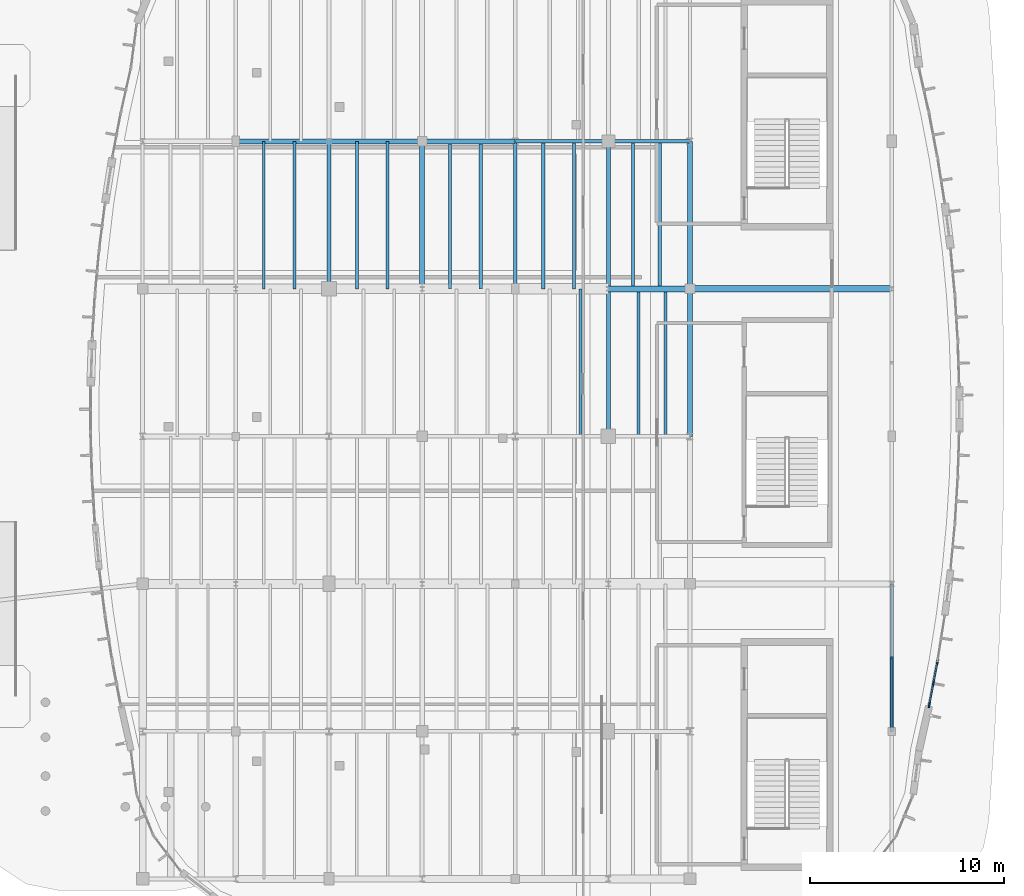
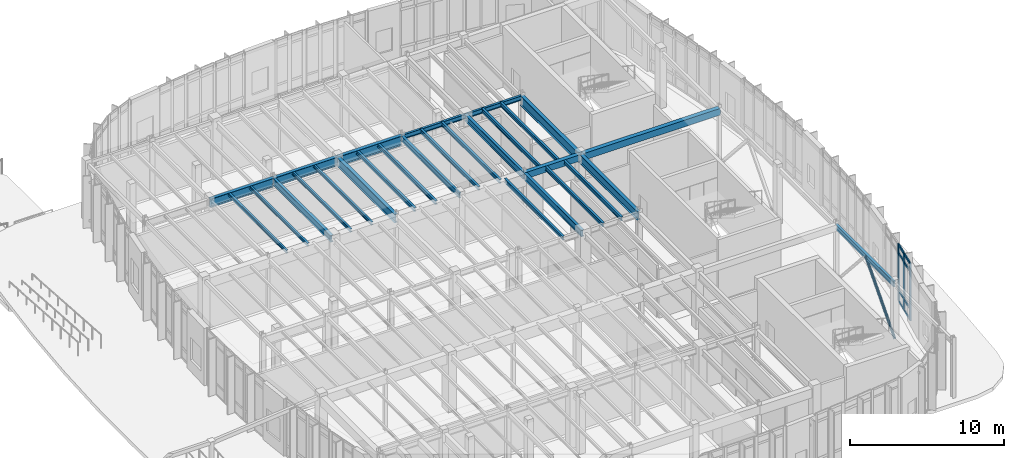
# One storey, part 59 of 120: 28 beams, 12 members, 1 element without a shape of its own.
"""IFC4 building model written with IfcOpenShell, lengths in metres."""

from ifc_helpers import new_model, si_unit, direction, frame, origin, origin_2d, place, context, subcontext, project, spatial, rectangle, hollow_circle, i_section, extrude, material, material_profile, profile_set, type_object, element, aggregate, save


model = new_model("IFC4")

# Units and contexts
model_context = context("Model", 3, precision=1e-05, world=origin(), true_north=direction((0.0, 1.0)))
body_context = subcontext(model_context, "Body", "Model", "MODEL_VIEW")
ifc_project = project(units=[si_unit("LENGTHUNIT", "METRE"), si_unit("AREAUNIT", "SQUARE_METRE"), si_unit("VOLUMEUNIT", "CUBIC_METRE"), si_unit("PLANEANGLEUNIT", "RADIAN"), si_unit("MASSUNIT", "GRAM", prefix="KILO")], contexts=[model_context])

# Site, building, storey
site_placement = place(None, origin())
site = spatial("IfcSite", under=ifc_project, at=site_placement, CompositionType="ELEMENT")
building_placement = place(site_placement, origin())
building = spatial("IfcBuilding", under=site, at=building_placement, Name="Corveleigh Park Community Centre", CompositionType="ELEMENT")
storey_placement = place(building_placement, origin())
storey = spatial("IfcBuildingStorey", under=building, at=storey_placement, Name="L00", CompositionType="ELEMENT", Elevation=0.0)

# Beams
ifc_material_1 = material(Name="Concrete C40/50", Category="concrete")
ifc_material_profile_1 = material_profile(ifc_material_1, rectangle(XDim=0.300048828125, YDim=0.5, at=origin_2d()), Name="RC-300x500", Category="concrete")
ifc_profile_set_1 = profile_set([ifc_material_profile_1], Name="Concrete C40/50")
beam_type_1 = type_object("IfcBeamType", Name="BM-RC-300x500", PredefinedType="BEAM", material=ifc_profile_set_1)
beam_1_placement = place(storey_placement, frame((153.804931640625, 89.0, 4.277099609375), z_axis=(1.0, 0.0, 0.0), x_axis=(0.0, 1.0, 0.0)))
element("IfcBeam", 1, at=beam_1_placement, inside=storey, type_object=beam_type_1, Name="V4 Girder X", PredefinedType="BEAM", context=body_context, shape_type="SweptSolid", body=[
    extrude(rectangle(XDim=0.300048828125, YDim=0.5, at=origin_2d()), origin(), (0.0, 0.0, 1.0), 4.190185546875),
])
ifc_material_profile_2 = material_profile(ifc_material_1, rectangle(XDim=0.324951171875, YDim=0.52490234375, at=origin_2d()), Name="RC-325x525", Category="concrete")
ifc_profile_set_2 = profile_set([ifc_material_profile_2], Name="Concrete C40/50")
beam_type_2 = type_object("IfcBeamType", Name="BM-RC-325x525", PredefinedType="BEAM", material=ifc_profile_set_2)
beam_2_placement = place(storey_placement, frame((158.0048828125, 89.0, 4.264404296875), z_axis=(1.0, 0.0, 0.0), x_axis=(0.0, 1.0, 0.0)))
element("IfcBeam", 2, at=beam_2_placement, inside=storey, type_object=beam_type_2, Name="V4 Girder X", PredefinedType="BEAM", context=body_context, shape_type="SweptSolid", body=[
    extrude(rectangle(XDim=0.324951171875, YDim=0.52490234375, at=origin_2d()), origin(), (0.0, 0.0, 1.0), 10.39013671875),
])
ifc_material_2 = material(Name="Steel S355", Category="steel")
ifc_material_profile_3 = material_profile(ifc_material_2, i_section(OverallWidth=0.146484375, OverallDepth=0.256103515625, WebThickness=0.00634765625, FlangeThickness=0.010986328125, at=origin_2d()), Name="UKB 254x146x37", Category="steel")
ifc_profile_set_3 = profile_set([ifc_material_profile_3], Name="Steel S355")
beam_type_3 = type_object("IfcBeamType", Name="BM-STL-UKB254x37", PredefinedType="JOIST", material=ifc_profile_set_3)
for number, where, z_axis, x_axis, name in (
    (3, (136.0400390625, 89.0048828125, 4.39892578125), (0.0, 1.0, 0.0), (-1.0, 0.0, 0.0), "Secondary floor joist"),
    (4, (137.6240234375, 89.0048828125, 4.39892578125), (0.0, 1.0, 0.0), (-1.0, 0.0, 0.0), "Secondary floor joist"),
):
    element("IfcBeam", number, at=place(storey_placement, frame(where, z_axis=z_axis, x_axis=x_axis)), inside=storey, type_object=beam_type_3, Name=name, PredefinedType="JOIST", context=body_context, shape_type="SweptSolid", body=[
        extrude(i_section(OverallWidth=0.146484375, OverallDepth=0.256103515625, WebThickness=0.00634765625, FlangeThickness=0.010986328125, at=origin_2d()), origin(), (0.0, 0.0, 1.0), 7.590087890625),
    ])
ifc_material_profile_4 = material_profile(ifc_material_2, i_section(OverallWidth=0.147216796875, OverallDepth=0.259521484375, WebThickness=0.007080078125, FlangeThickness=0.0126953125, at=origin_2d()), Name="UKB 254x146x43", Category="steel")
ifc_profile_set_4 = profile_set([ifc_material_profile_4], Name="Steel S355")
beam_type_4 = type_object("IfcBeamType", Name="BM-STL-UKB254x43", PredefinedType="JOIST", material=ifc_profile_set_4)
for number, where, z_axis, x_axis, name in (
    (5, (140.840087890625, 89.0048828125, 4.397216796875), (0.0, 1.0, 0.0), (-1.0, 0.0, 0.0), "Secondary floor joist"),
    (6, (142.424072265625, 89.0048828125, 4.397216796875), (0.0, 1.0, 0.0), (-1.0, 0.0, 0.0), "Secondary floor joist"),
):
    element("IfcBeam", number, at=place(storey_placement, frame(where, z_axis=z_axis, x_axis=x_axis)), inside=storey, type_object=beam_type_4, Name=name, PredefinedType="JOIST", context=body_context, shape_type="SweptSolid", body=[
        extrude(i_section(OverallWidth=0.147216796875, OverallDepth=0.259521484375, WebThickness=0.007080078125, FlangeThickness=0.0126953125, at=origin_2d()), origin(), (0.0, 0.0, 1.0), 7.590087890625),
    ])
ifc_material_profile_5 = material_profile(ifc_material_2, i_section(OverallWidth=0.1650390625, OverallDepth=0.303466796875, WebThickness=0.006103515625, FlangeThickness=0.01025390625, at=origin_2d()), Name="UKB 305x165x40", Category="steel")
ifc_profile_set_5 = profile_set([ifc_material_profile_5], Name="Steel S355")
beam_type_5 = type_object("IfcBeamType", Name="BM-STL-UKB305x40", PredefinedType="JOIST", material=ifc_profile_set_5)
for number, where, z_axis, x_axis, name in (
    (7, (145.639892578125, 89.0048828125, 4.375244140625), (0.0, 1.0, 0.0), (-1.0, 0.0, 0.0), "Secondary floor joist"),
    (8, (147.22412109375, 89.0048828125, 4.375244140625), (0.0, 1.0, 0.0), (-1.0, 0.0, 0.0), "Secondary floor joist"),
    (9, (152.360107421875, 81.405029296875, 4.375244140625), (0.0, 1.0, 0.0), (-1.0, 0.0, 0.0), "Secondary floor joist"),
):
    element("IfcBeam", number, at=place(storey_placement, frame(where, z_axis=z_axis, x_axis=x_axis)), inside=storey, type_object=beam_type_5, Name=name, PredefinedType="JOIST", context=body_context, shape_type="SweptSolid", body=[
        extrude(i_section(OverallWidth=0.1650390625, OverallDepth=0.303466796875, WebThickness=0.006103515625, FlangeThickness=0.01025390625, at=origin_2d()), origin(), (0.0, 0.0, 1.0), 7.590087890625),
    ])
ifc_material_profile_6 = material_profile(ifc_material_2, i_section(OverallWidth=0.165771484375, OverallDepth=0.306640625, WebThickness=0.006591796875, FlangeThickness=0.01171875, at=origin_2d()), Name="UKB 305x165x46", Category="steel")
ifc_profile_set_6 = profile_set([ifc_material_profile_6], Name="Steel S355")
beam_type_6 = type_object("IfcBeamType", Name="BM-STL-UKB305x46", PredefinedType="JOIST", material=ifc_profile_set_6)
for number, where, z_axis, x_axis, name in (
    (10, (150.43994140625, 89.0048828125, 4.373779296875), (0.0, 1.0, 0.0), (-1.0, 0.0, 0.0), "Secondary floor joist"),
    (11, (152.02392578125, 89.0048828125, 4.373779296875), (0.0, 1.0, 0.0), (-1.0, 0.0, 0.0), "Secondary floor joist"),
    (12, (155.35400390625, 81.405029296875, 4.373779296875), (0.0, 1.0, 0.0), (-1.0, 0.0, 0.0), "Secondary floor joist"),
    (13, (156.739990234375, 81.405029296875, 4.373779296875), (0.0, 1.0, 0.0), (-1.0, 0.0, 0.0), "Secondary floor joist"),
):
    element("IfcBeam", number, at=place(storey_placement, frame(where, z_axis=z_axis, x_axis=x_axis)), inside=storey, type_object=beam_type_6, Name=name, PredefinedType="JOIST", context=body_context, shape_type="SweptSolid", body=[
        extrude(i_section(OverallWidth=0.165771484375, OverallDepth=0.306640625, WebThickness=0.006591796875, FlangeThickness=0.01171875, at=origin_2d()), origin(), (0.0, 0.0, 1.0), 7.590087890625),
    ])
ifc_material_profile_7 = material_profile(ifc_material_2, i_section(OverallWidth=0.1669921875, OverallDepth=0.310302734375, WebThickness=0.0078125, FlangeThickness=0.013671875, at=origin_2d()), Name="UKB 305x165x54", Category="steel")
ifc_profile_set_7 = profile_set([ifc_material_profile_7], Name="Steel S355")
beam_type_7 = type_object("IfcBeamType", Name="BM-STL-UKB305x54", PredefinedType="JOIST", material=ifc_profile_set_7)
for number, where, z_axis, x_axis, name in (
    (14, (155.06005859375, 89.0048828125, 4.371826171875), (0.0, 1.0, 0.0), (-1.0, 0.0, 0.0), "Secondary floor joist"),
    (15, (156.446044921875, 89.0048828125, 4.371826171875), (0.0, 1.0, 0.0), (-1.0, 0.0, 0.0), "Secondary floor joist"),
):
    element("IfcBeam", number, at=place(storey_placement, frame(where, z_axis=z_axis, x_axis=x_axis)), inside=storey, type_object=beam_type_7, Name=name, PredefinedType="JOIST", context=body_context, shape_type="SweptSolid", body=[
        extrude(i_section(OverallWidth=0.1669921875, OverallDepth=0.310302734375, WebThickness=0.0078125, FlangeThickness=0.013671875, at=origin_2d()), origin(), (0.0, 0.0, 1.0), 7.590087890625),
    ])
ifc_material_profile_8 = material_profile(ifc_material_2, i_section(OverallWidth=0.172119140625, OverallDepth=0.35791015625, WebThickness=0.008056640625, FlangeThickness=0.012939453125, at=origin_2d()), Name="UKB 356x171x57", Category="steel")
ifc_profile_set_8 = profile_set([ifc_material_profile_8], Name="Steel S355")
beam_type_8 = type_object("IfcBeamType", Name="BM-STL-UKB356x57", PredefinedType="BEAM", material=ifc_profile_set_8)
beam_3_placement = place(storey_placement, frame((149.0048828125, 96.60009765625, 4.347900390625), z_axis=(1.0, 0.0, 0.0), x_axis=(0.0, 1.0, 0.0)))
element("IfcBeam", 16, at=beam_3_placement, inside=storey, type_object=beam_type_8, Name="V4 Girder X", PredefinedType="BEAM", context=body_context, shape_type="SweptSolid", body=[
    extrude(i_section(OverallWidth=0.172119140625, OverallDepth=0.35791015625, WebThickness=0.008056640625, FlangeThickness=0.012939453125, at=origin_2d()), origin(), (0.0, 0.0, 1.0), 4.7900390625),
])
ifc_material_profile_9 = material_profile(ifc_material_2, i_section(OverallWidth=0.173095703125, OverallDepth=0.36328125, WebThickness=0.009033203125, FlangeThickness=0.015625, at=origin_2d()), Name="UKB 356x171x67", Category="steel")
ifc_profile_set_9 = profile_set([ifc_material_profile_9], Name="Steel S355")
beam_type_9 = type_object("IfcBeamType", Name="BM-STL-UKB356x67", PredefinedType="BEAM", material=ifc_profile_set_9)
beam_4_placement = place(storey_placement, frame((153.804931640625, 96.60009765625, 4.34521484375), z_axis=(1.0, 0.0, 0.0), x_axis=(0.0, 1.0, 0.0)))
element("IfcBeam", 17, at=beam_4_placement, inside=storey, type_object=beam_type_9, Name="V4 Girder X", PredefinedType="BEAM", context=body_context, shape_type="SweptSolid", body=[
    extrude(i_section(OverallWidth=0.173095703125, OverallDepth=0.36328125, WebThickness=0.009033203125, FlangeThickness=0.015625, at=origin_2d()), origin(), (0.0, 0.0, 1.0), 4.190185546875),
])
ifc_material_profile_10 = material_profile(ifc_material_2, i_section(OverallWidth=0.177978515625, OverallDepth=0.406494140625, WebThickness=0.0078125, FlangeThickness=0.0126953125, at=origin_2d()), Name="UKB 406x178x60", Category="steel")
ifc_profile_set_10 = profile_set([ifc_material_profile_10], Name="Steel S355")
beam_type_10 = type_object("IfcBeamType", Name="BM-STL-UKB406x60", PredefinedType="BEAM", material=ifc_profile_set_10)
beam_5_placement = place(storey_placement, frame((168.39990234375, 66.205078125, 4.32373046875), z_axis=(0.0, 1.0, 0.0), x_axis=(-1.0, 0.0, 0.0)))
element("IfcBeam", 18, at=beam_5_placement, inside=storey, type_object=beam_type_10, Name="V4 Girder Y", PredefinedType="BEAM", context=body_context, shape_type="SweptSolid", body=[
    extrude(i_section(OverallWidth=0.177978515625, OverallDepth=0.406494140625, WebThickness=0.0078125, FlangeThickness=0.0126953125, at=origin_2d()), origin(), (0.0, 0.0, 1.0), 7.58984375),
])
ifc_material_profile_11 = material_profile(ifc_material_2, i_section(OverallWidth=0.179443359375, OverallDepth=0.412841796875, WebThickness=0.009521484375, FlangeThickness=0.01611328125, at=origin_2d()), Name="UKB 406x178x74", Category="steel")
ifc_profile_set_11 = profile_set([ifc_material_profile_11], Name="Steel S355")
beam_type_11 = type_object("IfcBeamType", Name="BM-STL-UKB406x74", PredefinedType="BEAM", material=ifc_profile_set_11)
beam_6_placement = place(storey_placement, frame((149.0, 89.0048828125, 4.320556640625), z_axis=(0.0, 1.0, 0.0), x_axis=(-1.0, 0.0, 0.0)))
element("IfcBeam", 19, at=beam_6_placement, inside=storey, type_object=beam_type_11, Name="V4 Girder Y", PredefinedType="BEAM", context=body_context, shape_type="SweptSolid", body=[
    extrude(i_section(OverallWidth=0.179443359375, OverallDepth=0.412841796875, WebThickness=0.009521484375, FlangeThickness=0.01611328125, at=origin_2d()), origin(), (0.0, 0.0, 1.0), 7.590087890625),
])
ifc_material_profile_12 = material_profile(ifc_material_2, i_section(OverallWidth=0.2099609375, OverallDepth=0.53662109375, WebThickness=0.0107421875, FlangeThickness=0.017333984375, at=origin_2d()), Name="UKB 533x210x101", Category="steel")
ifc_profile_set_12 = profile_set([ifc_material_profile_12], Name="Steel S355")
beam_type_12 = type_object("IfcBeamType", Name="BM-STL-UKB533x101", PredefinedType="BEAM", material=ifc_profile_set_12)
beam_7_placement = place(storey_placement, frame((153.800048828125, 89.0048828125, 4.2587890625), z_axis=(0.0, 1.0, 0.0), x_axis=(-1.0, 0.0, 0.0)))
element("IfcBeam", 20, at=beam_7_placement, inside=storey, type_object=beam_type_12, Name="V4 Girder Y", PredefinedType="BEAM", context=body_context, shape_type="SweptSolid", body=[
    extrude(i_section(OverallWidth=0.2099609375, OverallDepth=0.53662109375, WebThickness=0.0107421875, FlangeThickness=0.017333984375, at=origin_2d()), origin(), (0.0, 0.0, 1.0), 7.590087890625),
])
ifc_material_profile_13 = material_profile(ifc_material_2, i_section(OverallWidth=0.209228515625, OverallDepth=0.533203125, WebThickness=0.010009765625, FlangeThickness=0.015625, at=origin_2d()), Name="UKB 533x210x92", Category="steel")
ifc_profile_set_13 = profile_set([ifc_material_profile_13], Name="Steel S355")
beam_type_13 = type_object("IfcBeamType", Name="BM-STL-UKB533x92", PredefinedType="BEAM", material=ifc_profile_set_13)
for number, where, z_axis, x_axis, name in (
    (21, (139.39990234375, 89.0048828125, 4.260498046875), (0.0, 1.0, 0.0), (-1.0, 0.0, 0.0), "V4 Girder Y"),
    (22, (153.800048828125, 81.405029296875, 4.260498046875), (0.0, 1.0, 0.0), (-1.0, 0.0, 0.0), "V4 Girder Y"),
):
    element("IfcBeam", number, at=place(storey_placement, frame(where, z_axis=z_axis, x_axis=x_axis)), inside=storey, type_object=beam_type_13, Name=name, PredefinedType="BEAM", context=body_context, shape_type="SweptSolid", body=[
        extrude(i_section(OverallWidth=0.209228515625, OverallDepth=0.533203125, WebThickness=0.010009765625, FlangeThickness=0.015625, at=origin_2d()), origin(), (0.0, 0.0, 1.0), 7.590087890625),
    ])
ifc_material_profile_14 = material_profile(ifc_material_2, i_section(OverallWidth=0.253662109375, OverallDepth=0.68359375, WebThickness=0.012451171875, FlangeThickness=0.01904296875, at=origin_2d()), Name="UKB 686x254x140", Category="steel")
ifc_profile_set_14 = profile_set([ifc_material_profile_14], Name="Steel S355")
beam_type_14 = type_object("IfcBeamType", Name="BM-STL-UKB686x140", PredefinedType="BEAM", material=ifc_profile_set_14)
beam_8_placement = place(storey_placement, frame((134.60498046875, 96.60009765625, 4.185302734375), z_axis=(1.0, 0.0, 0.0), x_axis=(0.0, 1.0, 0.0)))
element("IfcBeam", 23, at=beam_8_placement, inside=storey, type_object=beam_type_14, Name="V4 Girder X", PredefinedType="BEAM", context=body_context, shape_type="SweptSolid", body=[
    extrude(i_section(OverallWidth=0.253662109375, OverallDepth=0.68359375, WebThickness=0.012451171875, FlangeThickness=0.01904296875, at=origin_2d()), origin(), (0.0, 0.0, 1.0), 4.7900390625),
])
ifc_material_profile_15 = material_profile(ifc_material_2, i_section(OverallWidth=0.25439453125, OverallDepth=0.6875, WebThickness=0.01318359375, FlangeThickness=0.02099609375, at=origin_2d()), Name="UKB 686x254x152", Category="steel")
ifc_profile_set_15 = profile_set([ifc_material_profile_15], Name="Steel S355")
beam_type_15 = type_object("IfcBeamType", Name="BM-STL-UKB686x152", PredefinedType="BEAM", material=ifc_profile_set_15)
beam_9_placement = place(storey_placement, frame((139.405029296875, 96.60009765625, 4.183349609375), z_axis=(1.0, 0.0, 0.0), x_axis=(0.0, 1.0, 0.0)))
element("IfcBeam", 24, at=beam_9_placement, inside=storey, type_object=beam_type_15, Name="V4 Girder X", PredefinedType="BEAM", context=body_context, shape_type="SweptSolid", body=[
    extrude(i_section(OverallWidth=0.25439453125, OverallDepth=0.6875, WebThickness=0.01318359375, FlangeThickness=0.02099609375, at=origin_2d()), origin(), (0.0, 0.0, 1.0), 4.7900390625),
])
for number, where, z_axis, x_axis, name in (
    (25, (144.199951171875, 89.0048828125, 4.183349609375), (0.0, 1.0, 0.0), (-1.0, 0.0, 0.0), "V4 Girder Y"),
    (26, (158.0, 81.405029296875, 4.183349609375), (0.0, 1.0, 0.0), (-1.0, 0.0, 0.0), "V4 Girder Y"),
):
    element("IfcBeam", number, at=place(storey_placement, frame(where, z_axis=z_axis, x_axis=x_axis)), inside=storey, type_object=beam_type_15, Name=name, PredefinedType="BEAM", context=body_context, shape_type="SweptSolid", body=[
        extrude(i_section(OverallWidth=0.25439453125, OverallDepth=0.6875, WebThickness=0.01318359375, FlangeThickness=0.02099609375, at=origin_2d()), origin(), (0.0, 0.0, 1.0), 7.590087890625),
    ])
ifc_material_profile_16 = material_profile(ifc_material_2, i_section(OverallWidth=0.2666015625, OverallDepth=0.76220703125, WebThickness=0.014404296875, FlangeThickness=0.021484375, at=origin_2d()), Name="UKB 762x267x173", Category="steel")
ifc_profile_set_16 = profile_set([ifc_material_profile_16], Name="Steel S355")
beam_type_16 = type_object("IfcBeamType", Name="BM-STL-UKB762x173", PredefinedType="BEAM", material=ifc_profile_set_16)
beam_10_placement = place(storey_placement, frame((144.205078125, 96.60009765625, 4.14599609375), z_axis=(1.0, 0.0, 0.0), x_axis=(0.0, 1.0, 0.0)))
element("IfcBeam", 27, at=beam_10_placement, inside=storey, type_object=beam_type_16, Name="V4 Girder X", PredefinedType="BEAM", context=body_context, shape_type="SweptSolid", body=[
    extrude(i_section(OverallWidth=0.2666015625, OverallDepth=0.76220703125, WebThickness=0.014404296875, FlangeThickness=0.021484375, at=origin_2d()), origin(), (0.0, 0.0, 1.0), 4.7900390625),
])
beam_11_placement = place(storey_placement, frame((158.0, 89.0048828125, 4.14599609375), z_axis=(0.0, 1.0, 0.0), x_axis=(-1.0, 0.0, 0.0)))
element("IfcBeam", 28, at=beam_11_placement, inside=storey, type_object=beam_type_16, Name="V4 Girder Y", PredefinedType="BEAM", context=body_context, shape_type="SweptSolid", body=[
    extrude(i_section(OverallWidth=0.2666015625, OverallDepth=0.76220703125, WebThickness=0.014404296875, FlangeThickness=0.021484375, at=origin_2d()), origin(), (0.0, 0.0, 1.0), 7.590087890625),
])

# Curtain wall, members
ifc_material_3 = material(Name="Anodised aluminium 6063-T6", Category="aluminium")
curtain_wall_type = type_object("IfcCurtainWallType", Name="CW-SYS-V4-L00", PredefinedType="NOTDEFINED", material=ifc_material_3)
curtain_wall_placement = place(storey_placement, origin())
curtain_wall = element("IfcCurtainWall", 29, at=curtain_wall_placement, inside=storey, type_object=curtain_wall_type, Name="V4 L00 Curtain Wall 120", PredefinedType="NOTDEFINED")
ifc_material_profile_17 = material_profile(ifc_material_3, rectangle(XDim=0.0849609375, YDim=0.27490234375, at=origin_2d()), Name="ALU-M85x275", Category="aluminium")
ifc_profile_set_17 = profile_set([ifc_material_profile_17], Name="Anodised aluminium 6063-T6")
member_type_1 = type_object("IfcMemberType", Name="CWM-85x275", PredefinedType="MULLION", material=ifc_profile_set_17)
member_1_placement = place(storey_placement, frame((170.751953125, 69.787353515625, 0.0), z_axis=(0.0, 0.0, 1.0), x_axis=(0.982323668519, -0.187190304951, 0.0)))
member_1 = element("IfcMember", 30, at=member_1_placement, type_object=member_type_1, Name="CW07 mullion 1", PredefinedType="MULLION", context=body_context, shape_type="SweptSolid", body=[
    extrude(rectangle(XDim=0.0849609375, YDim=0.27490234375, at=origin_2d()), origin(), (0.0, 0.0, 1.0), 4.511962890625),
])
member_2_placement = place(storey_placement, frame((170.5400390625, 68.674560546875, 0.0), z_axis=(0.0, 0.0, 1.0), x_axis=(0.982323668519, -0.187190304951, 0.0)))
member_2 = element("IfcMember", 31, at=member_2_placement, type_object=member_type_1, Name="CW07 mullion 2", PredefinedType="MULLION", context=body_context, shape_type="SweptSolid", body=[
    extrude(rectangle(XDim=0.0849609375, YDim=0.27490234375, at=origin_2d()), origin(), (0.0, 0.0, 1.0), 4.511962890625),
])
member_3_placement = place(storey_placement, frame((170.327880859375, 67.561767578125, 0.0), z_axis=(0.0, 0.0, 1.0), x_axis=(0.982323668519, -0.187190304951, 0.0)))
member_3 = element("IfcMember", 32, at=member_3_placement, type_object=member_type_1, Name="CW07 mullion 3", PredefinedType="MULLION", context=body_context, shape_type="SweptSolid", body=[
    extrude(rectangle(XDim=0.0849609375, YDim=0.27490234375, at=origin_2d()), origin(), (0.0, 0.0, 1.0), 4.511962890625),
])
ifc_material_profile_18 = material_profile(ifc_material_3, rectangle(XDim=0.080078125, YDim=0.195068359375, at=origin_2d()), Name="ALU-T80x195", Category="aluminium")
ifc_profile_set_18 = profile_set([ifc_material_profile_18], Name="Anodised aluminium 6063-T6")
member_type_2 = type_object("IfcMemberType", Name="CWT-80x195", PredefinedType="USERDEFINED", material=ifc_profile_set_18)
member_4_placement = place(storey_placement, frame((170.744140625, 69.74560546875, 0.0400390625), z_axis=(-0.187326232519, -0.982297756594, 0.0), x_axis=(0.982297756594, -0.187326232519, 0.0)))
member_4 = element("IfcMember", 33, at=member_4_placement, type_object=member_type_2, Name="CW07 transom 1.1", ObjectType="TRANSOM", PredefinedType="USERDEFINED", context=body_context, shape_type="SweptSolid", body=[
    extrude(rectangle(XDim=0.080078125, YDim=0.195068359375, at=origin_2d()), origin(), (0.0, 0.0, 1.0), 1.0478515625),
])
member_5_placement = place(storey_placement, frame((170.744140625, 69.74560546875, 0.89990234375), z_axis=(-0.187326232519, -0.982297756594, 0.0), x_axis=(0.982297756594, -0.187326232519, 0.0)))
member_5 = element("IfcMember", 34, at=member_5_placement, type_object=member_type_2, Name="CW07 transom 1.2", ObjectType="TRANSOM", PredefinedType="USERDEFINED", context=body_context, shape_type="SweptSolid", body=[
    extrude(rectangle(XDim=0.080078125, YDim=0.195068359375, at=origin_2d()), origin(), (0.0, 0.0, 1.0), 1.0478515625),
])
member_6_placement = place(storey_placement, frame((170.744140625, 69.74560546875, 3.862060546875), z_axis=(-0.187326232519, -0.982297756594, 0.0), x_axis=(0.982297756594, -0.187326232519, 0.0)))
member_6 = element("IfcMember", 35, at=member_6_placement, type_object=member_type_2, Name="CW07 transom 1.3", ObjectType="TRANSOM", PredefinedType="USERDEFINED", context=body_context, shape_type="SweptSolid", body=[
    extrude(rectangle(XDim=0.080078125, YDim=0.195068359375, at=origin_2d()), origin(), (0.0, 0.0, 1.0), 1.0478515625),
])
member_7_placement = place(storey_placement, frame((170.744140625, 69.74560546875, 4.471923828125), z_axis=(-0.187326232519, -0.982297756594, 0.0), x_axis=(0.982297756594, -0.187326232519, 0.0)))
member_7 = element("IfcMember", 36, at=member_7_placement, type_object=member_type_2, Name="CW07 transom 1.4", ObjectType="TRANSOM", PredefinedType="USERDEFINED", context=body_context, shape_type="SweptSolid", body=[
    extrude(rectangle(XDim=0.080078125, YDim=0.195068359375, at=origin_2d()), origin(), (0.0, 0.0, 1.0), 1.0478515625),
])
member_8_placement = place(storey_placement, frame((170.531982421875, 68.6328125, 0.0400390625), z_axis=(-0.187101400958, -0.982340605778, 0.0), x_axis=(0.982340605778, -0.187101400958, 0.0)))
member_8 = element("IfcMember", 37, at=member_8_placement, type_object=member_type_2, Name="CW07 transom 2.1", ObjectType="TRANSOM", PredefinedType="USERDEFINED", context=body_context, shape_type="SweptSolid", body=[
    extrude(rectangle(XDim=0.080078125, YDim=0.195068359375, at=origin_2d()), origin(), (0.0, 0.0, 1.0), 1.0478515625),
])
member_9_placement = place(storey_placement, frame((170.531982421875, 68.6328125, 0.89990234375), z_axis=(-0.187101400958, -0.982340605778, 0.0), x_axis=(0.982340605778, -0.187101400958, 0.0)))
member_9 = element("IfcMember", 38, at=member_9_placement, type_object=member_type_2, Name="CW07 transom 2.2", ObjectType="TRANSOM", PredefinedType="USERDEFINED", context=body_context, shape_type="SweptSolid", body=[
    extrude(rectangle(XDim=0.080078125, YDim=0.195068359375, at=origin_2d()), origin(), (0.0, 0.0, 1.0), 1.0478515625),
])
member_10_placement = place(storey_placement, frame((170.531982421875, 68.6328125, 3.862060546875), z_axis=(-0.187101400958, -0.982340605778, 0.0), x_axis=(0.982340605778, -0.187101400958, 0.0)))
member_10 = element("IfcMember", 39, at=member_10_placement, type_object=member_type_2, Name="CW07 transom 2.3", ObjectType="TRANSOM", PredefinedType="USERDEFINED", context=body_context, shape_type="SweptSolid", body=[
    extrude(rectangle(XDim=0.080078125, YDim=0.195068359375, at=origin_2d()), origin(), (0.0, 0.0, 1.0), 1.0478515625),
])
member_11_placement = place(storey_placement, frame((170.531982421875, 68.6328125, 4.471923828125), z_axis=(-0.187101400958, -0.982340605778, 0.0), x_axis=(0.982340605778, -0.187101400958, 0.0)))
member_11 = element("IfcMember", 40, at=member_11_placement, type_object=member_type_2, Name="CW07 transom 2.4", ObjectType="TRANSOM", PredefinedType="USERDEFINED", context=body_context, shape_type="SweptSolid", body=[
    extrude(rectangle(XDim=0.080078125, YDim=0.195068359375, at=origin_2d()), origin(), (0.0, 0.0, 1.0), 1.0478515625),
])
aggregate(curtain_wall, [member_1, member_2, member_3, member_4, member_5, member_6, member_7, member_8, member_9, member_10, member_11])

# Member
ifc_material_profile_19 = material_profile(ifc_material_2, hollow_circle(Radius=0.096923828125, WallThickness=0.010009765625, at=origin_2d()), Name="CHS 193.7x10.0", Category="steel")
ifc_profile_set_19 = profile_set([ifc_material_profile_19], Name="Steel S355")
member_type_3 = type_object("IfcMemberType", Name="MEM-BRC-CHS194", PredefinedType="BRACE", material=ifc_profile_set_19)
member_12_placement = place(storey_placement, frame((168.39990234375, 66.199951171875, 0.0), z_axis=(0.0, 0.664186364328, 0.747567036085), x_axis=(-1.0, 0.0, 0.0)))
element("IfcMember", 41, at=member_12_placement, inside=storey, type_object=member_type_3, Name="Spine chevron brace", PredefinedType="BRACE", context=body_context, shape_type="SweptSolid", body=[
    extrude(hollow_circle(Radius=0.096923828125, WallThickness=0.010009765625, at=origin_2d()), origin(), (0.0, 0.0, 1.0), 5.721435546875),
])

save(model, "model.ifc")
